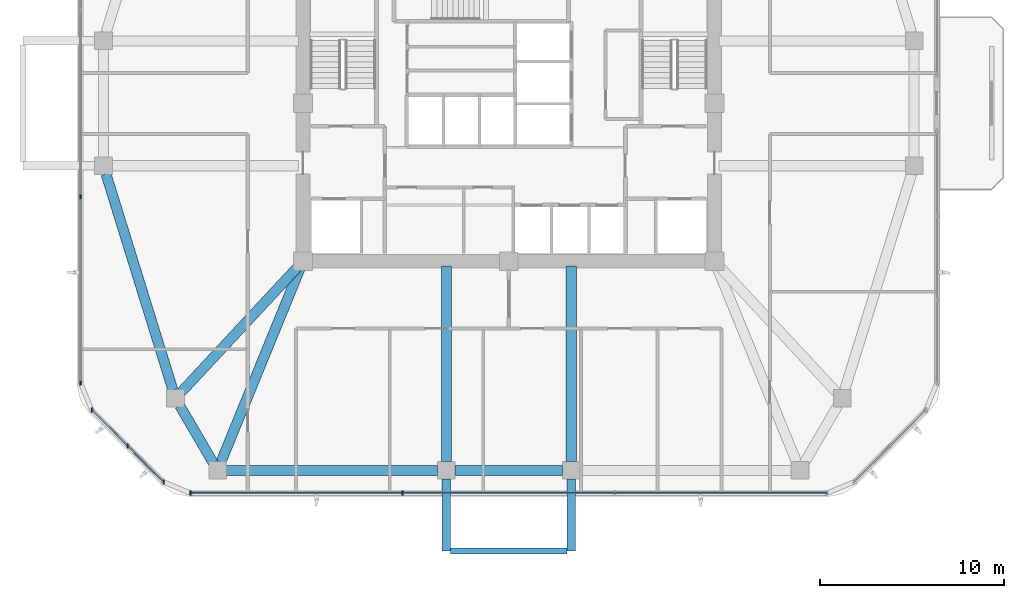
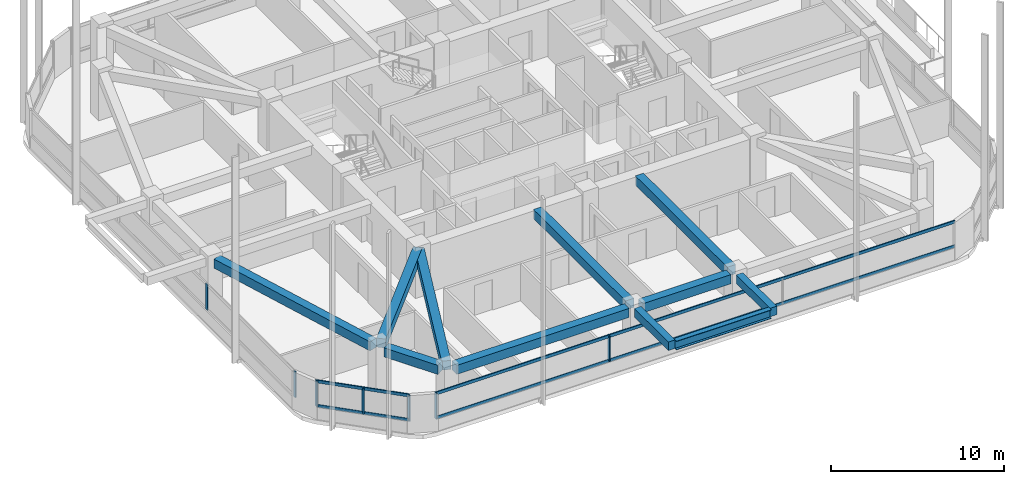
# One storey, part 2 of 14: 11 beams, 11 members, 3 elements without a shape of their own.
"""IFC4 building model written with IfcOpenShell, lengths in metres."""

from ifc_helpers import new_model, si_unit, derived_unit, direction, frame, origin, origin_2d, place, context, subcontext, project, spatial, rectangle, i_section, extrude, material, material_profile, profile_set, type_object, element, aggregate, save


model = new_model("IFC4")

# Units and contexts
model_context = context("Model", 3, precision=1e-05, world=origin(), true_north=direction((0.0, 1.0)))
body_context = subcontext(model_context, "Body", "Model", "MODEL_VIEW")
ifc_project = project(units=[si_unit("LENGTHUNIT", "METRE"), si_unit("AREAUNIT", "SQUARE_METRE"), si_unit("VOLUMEUNIT", "CUBIC_METRE"), si_unit("PLANEANGLEUNIT", "RADIAN"), si_unit("MASSUNIT", "GRAM", prefix="KILO"), derived_unit("THERMALTRANSMITTANCEUNIT", [(si_unit("POWERUNIT", "WATT"), 1), (si_unit("LENGTHUNIT", "METRE"), -2), (si_unit("THERMODYNAMICTEMPERATUREUNIT", "KELVIN"), -1)])], contexts=[model_context])

# Site, building, storey
site_placement = place(None, origin())
site = spatial("IfcSite", under=ifc_project, at=site_placement, CompositionType="ELEMENT")
building_placement = place(site_placement, origin())
building = spatial("IfcBuilding", under=site, at=building_placement, Name="Koralith Skygarden Medical Center", CompositionType="ELEMENT")
storey_placement = place(building_placement, frame((0.0, 0.0, 145.6201171875)))
storey = spatial("IfcBuildingStorey", under=building, at=storey_placement, Name="L37", CompositionType="ELEMENT", Elevation=145.6201171875)

# Curtain wall, members
ifc_material_1 = material(Name="Clear Laminated Glass", Category="glass")
curtain_wall_type = type_object("IfcCurtainWallType", Name="CW-4 Zone 3 Waist High-Wind Curtain Wall", PredefinedType="NOTDEFINED", material=ifc_material_1)
curtain_wall_1_placement = place(storey_placement, origin())
curtain_wall_1 = element("IfcCurtainWall", 1, at=curtain_wall_1_placement, inside=storey, type_object=curtain_wall_type, Name="Curtain Wall CW-L37-S", PredefinedType="NOTDEFINED")
ifc_material_2 = material(Name="Aluminium 6063-T6", Category="aluminium")
ifc_material_profile_1 = material_profile(ifc_material_2, rectangle(XDim=0.076904296875, YDim=0.22998046875, at=origin_2d()), Name="MUL77X230")
ifc_profile_set_1 = profile_set([ifc_material_profile_1], Name="Aluminium 6063-T6")
member_type_1 = type_object("IfcMemberType", Name="CW-4 Extruded Mullion 77x230", PredefinedType="MULLION", material=ifc_profile_set_1)
member_1_placement = place(storey_placement, frame((19.6708984375, 4.679931640625, 0.849853515625), z_axis=(0.0, 0.0, 1.0), x_axis=(1.0, 0.0, 0.0)))
member_1 = element("IfcMember", 2, at=member_1_placement, type_object=member_type_1, Name="CW-L37-S Mullion 1", PredefinedType="MULLION", context=body_context, shape_type="SweptSolid", body=[
    extrude(rectangle(XDim=0.076904296875, YDim=0.22998046875, at=origin_2d()), origin(), (0.0, 0.0, 1.0), 1.820068359375),
])
member_2_placement = place(storey_placement, frame((31.22412109375, 4.679931640625, 0.849853515625), z_axis=(0.0, 0.0, 1.0), x_axis=(1.0, 0.0, 0.0)))
member_2 = element("IfcMember", 3, at=member_2_placement, type_object=member_type_1, Name="CW-L37-S Mullion 2", PredefinedType="MULLION", context=body_context, shape_type="SweptSolid", body=[
    extrude(rectangle(XDim=0.076904296875, YDim=0.22998046875, at=origin_2d()), origin(), (0.0, 0.0, 1.0), 1.820068359375),
])

curtain_wall_2_placement = place(storey_placement, origin())
curtain_wall_2 = element("IfcCurtainWall", 4, at=curtain_wall_2_placement, inside=storey, type_object=curtain_wall_type, Name="Curtain Wall CW-L37-W", PredefinedType="NOTDEFINED")
member_3_placement = place(storey_placement, frame((13.696044921875, 20.818115234375, 0.849853515625), z_axis=(0.0, 0.0, 1.0), x_axis=(1.0, 0.0, 0.0)))
member_3 = element("IfcMember", 5, at=member_3_placement, type_object=member_type_1, Name="CW-L37-W Mullion 3", PredefinedType="MULLION", context=body_context, shape_type="SweptSolid", body=[
    extrude(rectangle(XDim=0.076904296875, YDim=0.22998046875, at=origin_2d()), origin(), (0.0, 0.0, 1.0), 1.820068359375),
])
member_4_placement = place(storey_placement, frame((13.696044921875, 10.655029296875, 0.849853515625), z_axis=(0.0, 0.0, 1.0), x_axis=(1.0, 0.0, 0.0)))
member_4 = element("IfcMember", 6, at=member_4_placement, type_object=member_type_1, Name="CW-L37-W Mullion 4", PredefinedType="MULLION", context=body_context, shape_type="SweptSolid", body=[
    extrude(rectangle(XDim=0.076904296875, YDim=0.22998046875, at=origin_2d()), origin(), (0.0, 0.0, 1.0), 1.820068359375),
])
aggregate(curtain_wall_2, [member_3, member_4])

curtain_wall_3_placement = place(storey_placement, origin())
curtain_wall_3 = element("IfcCurtainWall", 7, at=curtain_wall_3_placement, inside=storey, type_object=curtain_wall_type, Name="Curtain Wall CW-L37-SW", PredefinedType="NOTDEFINED")
member_5_placement = place(storey_placement, frame((14.297119140625, 9.2041015625, 0.849853515625), z_axis=(0.0, 0.0, 1.0), x_axis=(1.0, 0.0, 0.0)))
member_5 = element("IfcMember", 8, at=member_5_placement, type_object=member_type_1, Name="CW-L37-SW Mullion 1", PredefinedType="MULLION", context=body_context, shape_type="SweptSolid", body=[
    extrude(rectangle(XDim=0.076904296875, YDim=0.22998046875, at=origin_2d()), origin(), (0.0, 0.0, 1.0), 1.820068359375),
])
member_6_placement = place(storey_placement, frame((16.258056640625, 7.241943359375, 0.849853515625), z_axis=(0.0, 0.0, 1.0), x_axis=(1.0, 0.0, 0.0)))
member_6 = element("IfcMember", 9, at=member_6_placement, type_object=member_type_1, Name="CW-L37-SW Mullion 2", PredefinedType="MULLION", context=body_context, shape_type="SweptSolid", body=[
    extrude(rectangle(XDim=0.076904296875, YDim=0.22998046875, at=origin_2d()), origin(), (0.0, 0.0, 1.0), 1.820068359375),
])
member_7_placement = place(storey_placement, frame((18.219970703125, 5.281005859375, 0.849853515625), z_axis=(0.0, 0.0, 1.0), x_axis=(1.0, 0.0, 0.0)))
member_7 = element("IfcMember", 10, at=member_7_placement, type_object=member_type_1, Name="CW-L37-SW Mullion 3", PredefinedType="MULLION", context=body_context, shape_type="SweptSolid", body=[
    extrude(rectangle(XDim=0.076904296875, YDim=0.22998046875, at=origin_2d()), origin(), (0.0, 0.0, 1.0), 1.820068359375),
])

# Member
ifc_material_profile_2 = material_profile(ifc_material_2, rectangle(XDim=0.072021484375, YDim=0.20703125, at=origin_2d()), Name="TRN72X207")
ifc_profile_set_2 = profile_set([ifc_material_profile_2], Name="Aluminium 6063-T6")
member_type_2 = type_object("IfcMemberType", Name="CW-4 Thermal Transom 72x207", PredefinedType="USERDEFINED", material=ifc_profile_set_2)
member_8_placement = place(storey_placement, frame((19.6708984375, 4.679931640625, 0.89990234375), z_axis=(1.0, 0.0, 0.0), x_axis=(0.0, 1.0, 0.0)))
member_8 = element("IfcMember", 11, at=member_8_placement, type_object=member_type_2, Name="CW-L37-S Transom 1", ObjectType="TRANSOM", PredefinedType="USERDEFINED", context=body_context, shape_type="SweptSolid", body=[
    extrude(rectangle(XDim=0.072021484375, YDim=0.20703125, at=origin_2d()), origin(), (0.0, 0.0, 1.0), 34.658203125),
])

member_9_placement = place(storey_placement, frame((19.6708984375, 4.679931640625, 2.619873046875), z_axis=(1.0, 0.0, 0.0), x_axis=(0.0, 1.0, 0.0)))
member_9 = element("IfcMember", 12, at=member_9_placement, type_object=member_type_2, Name="CW-L37-S Transom 2", ObjectType="TRANSOM", PredefinedType="USERDEFINED", context=body_context, shape_type="SweptSolid", body=[
    extrude(rectangle(XDim=0.072021484375, YDim=0.20703125, at=origin_2d()), origin(), (0.0, 0.0, 1.0), 34.658203125),
])

aggregate(curtain_wall_1, [member_1, member_2, member_8, member_9])

member_10_placement = place(storey_placement, frame((14.297119140625, 9.2041015625, 0.89990234375), z_axis=(0.707084777957, -0.707128783731, 0.0), x_axis=(0.707128783731, 0.707084777957, 0.0)))
member_10 = element("IfcMember", 13, at=member_10_placement, type_object=member_type_2, Name="CW-L37-SW Transom 1", ObjectType="TRANSOM", PredefinedType="USERDEFINED", context=body_context, shape_type="SweptSolid", body=[
    extrude(rectangle(XDim=0.072021484375, YDim=0.20703125, at=origin_2d()), origin(), (0.0, 0.0, 1.0), 5.5478515625),
])

member_11_placement = place(storey_placement, frame((14.297119140625, 9.2041015625, 2.619873046875), z_axis=(0.707084777957, -0.707128783731, 0.0), x_axis=(0.707128783731, 0.707084777957, 0.0)))
member_11 = element("IfcMember", 14, at=member_11_placement, type_object=member_type_2, Name="CW-L37-SW Transom 2", ObjectType="TRANSOM", PredefinedType="USERDEFINED", context=body_context, shape_type="SweptSolid", body=[
    extrude(rectangle(XDim=0.072021484375, YDim=0.20703125, at=origin_2d()), origin(), (0.0, 0.0, 1.0), 5.5478515625),
])

aggregate(curtain_wall_3, [member_5, member_6, member_7, member_10, member_11])

# Beams
ifc_material_3 = material(Name="Steel ASTM A992 Grade 50", Category="steel")
ifc_material_profile_3 = material_profile(ifc_material_3, i_section(OverallWidth=0.326904296875, OverallDepth=0.6220703125, WebThickness=0.015380859375, FlangeThickness=0.0244140625, at=origin_2d()), Name="W24X131")
ifc_profile_set_3 = profile_set([ifc_material_profile_3], Name="Steel ASTM A992 Grade 50")
beam_type_1 = type_object("IfcBeamType", Name="Cantilever Tie Beam W24X131", PredefinedType="BEAM", material=ifc_profile_set_3)
beam_1_placement = place(storey_placement, frame((33.820068359375, 1.5400390625, 3.02880859375), z_axis=(1.0, 0.0, 0.0), x_axis=(0.0, 1.0, 0.0)))
element("IfcBeam", 15, at=beam_1_placement, inside=storey, type_object=beam_type_1, Name="L38 S Balcony Tip Tie Beam", PredefinedType="BEAM", context=body_context, shape_type="SweptSolid", body=[
    extrude(i_section(OverallWidth=0.326904296875, OverallDepth=0.6220703125, WebThickness=0.015380859375, FlangeThickness=0.0244140625, at=origin_2d()), origin(), (0.0, 0.0, 1.0), 6.35986328125),
])
ifc_material_4 = material(Name="Concrete C45/55", Category="concrete")
ifc_material_profile_4 = material_profile(ifc_material_4, rectangle(XDim=0.449951171875, YDim=0.60009765625, at=origin_2d()), Name="RCB450X600")
ifc_profile_set_4 = profile_set([ifc_material_profile_4], Name="Concrete C45/55")
beam_type_2 = type_object("IfcBeamType", Name="Planted Balcony Cantilever Beam RCB450X600", PredefinedType="BEAM", material=ifc_profile_set_4)
for number, where, z_axis, x_axis, name in (
    (16, (33.60009765625, 5.4599609375, 3.039794921875), (0.0, -1.0, 0.0), (1.0, 0.0, 0.0), "L38 S Balcony Cantilever Beam A"),
    (17, (40.39990234375, 5.4599609375, 3.039794921875), (0.0, -1.0, 0.0), (1.0, 0.0, 0.0), "L38 S Balcony Cantilever Beam B"),
):
    element("IfcBeam", number, at=place(storey_placement, frame(where, z_axis=z_axis, x_axis=x_axis)), inside=storey, type_object=beam_type_2, Name=name, PredefinedType="BEAM", context=body_context, shape_type="SweptSolid", body=[
        extrude(rectangle(XDim=0.449951171875, YDim=0.60009765625, at=origin_2d()), origin(), (0.0, 0.0, 1.0), 3.919921875),
    ])
ifc_material_profile_5 = material_profile(ifc_material_4, rectangle(XDim=0.550048828125, YDim=0.639892578125, at=origin_2d()), Name="RCB550X640")
ifc_profile_set_5 = profile_set([ifc_material_profile_5], Name="Concrete C45/55")
beam_type_3 = type_object("IfcBeamType", Name="Radial Collector Beam RCB550X640", PredefinedType="BEAM", material=ifc_profile_set_5)
beam_2_placement = place(storey_placement, frame((25.6298828125, 17.116943359375, 3.0), z_axis=(-0.681369011591, -0.731940072713, 0.0), x_axis=(0.731940072713, -0.681369011591, 0.0)))
element("IfcBeam", 18, at=beam_2_placement, inside=storey, type_object=beam_type_3, Name="L37 Radial Collector Beam RB-02", PredefinedType="BEAM", context=body_context, shape_type="SweptSolid", body=[
    extrude(rectangle(XDim=0.550048828125, YDim=0.639892578125, at=origin_2d()), origin(), (0.0, 0.0, 1.0), 9.471923828125),
])
beam_3_placement = place(storey_placement, frame((25.705078125, 17.069091796875, 3.0), z_axis=(-0.378344544364, -0.92566484526, 0.0), x_axis=(0.92566484526, -0.378344544364, 0.0)))
element("IfcBeam", 19, at=beam_3_placement, inside=storey, type_object=beam_type_3, Name="L37 Radial Collector Beam RB-03", PredefinedType="BEAM", context=body_context, shape_type="SweptSolid", body=[
    extrude(rectangle(XDim=0.550048828125, YDim=0.639892578125, at=origin_2d()), origin(), (0.0, 0.0, 1.0), 11.574462890625),
])
for number, where, z_axis, x_axis, name in (
    (20, (33.60009765625, 17.050048828125, 3.0), (0.0, -1.0, 0.0), (1.0, 0.0, 0.0), "L37 Radial Collector Beam RB-04"),
    (21, (40.39990234375, 17.050048828125, 3.0), (0.0, -1.0, 0.0), (1.0, 0.0, 0.0), "L37 Radial Collector Beam RB-05"),
):
    element("IfcBeam", number, at=place(storey_placement, frame(where, z_axis=z_axis, x_axis=x_axis)), inside=storey, type_object=beam_type_3, Name=name, PredefinedType="BEAM", context=body_context, shape_type="SweptSolid", body=[
        extrude(rectangle(XDim=0.550048828125, YDim=0.639892578125, at=origin_2d()), origin(), (0.0, 0.0, 1.0), 10.66015625),
    ])
ifc_material_profile_6 = material_profile(ifc_material_4, rectangle(XDim=0.550048828125, YDim=0.639892578125, at=origin_2d()), Name="RCB550X640")
ifc_profile_set_6 = profile_set([ifc_material_profile_6], Name="Concrete C45/55")
beam_type_4 = type_object("IfcBeamType", Name="Zone 2-3 Spandrel Beam RCB550X640", PredefinedType="SPANDREL", material=ifc_profile_set_6)
beam_4_placement = place(storey_placement, frame((15.074951171875, 22.051025390625, 3.0), z_axis=(0.295793585147, -0.955251880389, 0.0), x_axis=(0.955251880389, 0.295793585147, 0.0)))
element("IfcBeam", 22, at=beam_4_placement, inside=storey, type_object=beam_type_4, Name="L37 Perimeter Spandrel Beam SP-01", PredefinedType="SPANDREL", context=body_context, shape_type="SweptSolid", body=[
    extrude(rectangle(XDim=0.550048828125, YDim=0.639892578125, at=origin_2d()), origin(), (0.0, 0.0, 1.0), 12.31298828125),
])
beam_5_placement = place(storey_placement, frame((19.093017578125, 9.43408203125, 3.0), z_axis=(0.504861391295, -0.863200426077, 0.0), x_axis=(0.863200426077, 0.504861391295, 0.0)))
element("IfcBeam", 23, at=beam_5_placement, inside=storey, type_object=beam_type_4, Name="L37 Perimeter Spandrel Beam SP-02", PredefinedType="SPANDREL", context=body_context, shape_type="SweptSolid", body=[
    extrude(rectangle(XDim=0.550048828125, YDim=0.639892578125, at=origin_2d()), origin(), (0.0, 0.0, 1.0), 3.600830078125),
])
beam_6_placement = place(storey_placement, frame((21.617919921875, 5.919921875, 3.0), z_axis=(1.0, 0.0, 0.0), x_axis=(0.0, 1.0, 0.0)))
element("IfcBeam", 24, at=beam_6_placement, inside=storey, type_object=beam_type_4, Name="L37 Perimeter Spandrel Beam SP-03", PredefinedType="SPANDREL", context=body_context, shape_type="SweptSolid", body=[
    extrude(rectangle(XDim=0.550048828125, YDim=0.639892578125, at=origin_2d()), origin(), (0.0, 0.0, 1.0), 11.511962890625),
])
beam_7_placement = place(storey_placement, frame((34.070068359375, 5.919921875, 3.0), z_axis=(1.0, 0.0, 0.0), x_axis=(0.0, 1.0, 0.0)))
element("IfcBeam", 25, at=beam_7_placement, inside=storey, type_object=beam_type_4, Name="L37 Perimeter Spandrel Beam SP-04", PredefinedType="SPANDREL", context=body_context, shape_type="SweptSolid", body=[
    extrude(rectangle(XDim=0.550048828125, YDim=0.639892578125, at=origin_2d()), origin(), (0.0, 0.0, 1.0), 5.85986328125),
])

save(model, "model.ifc")
